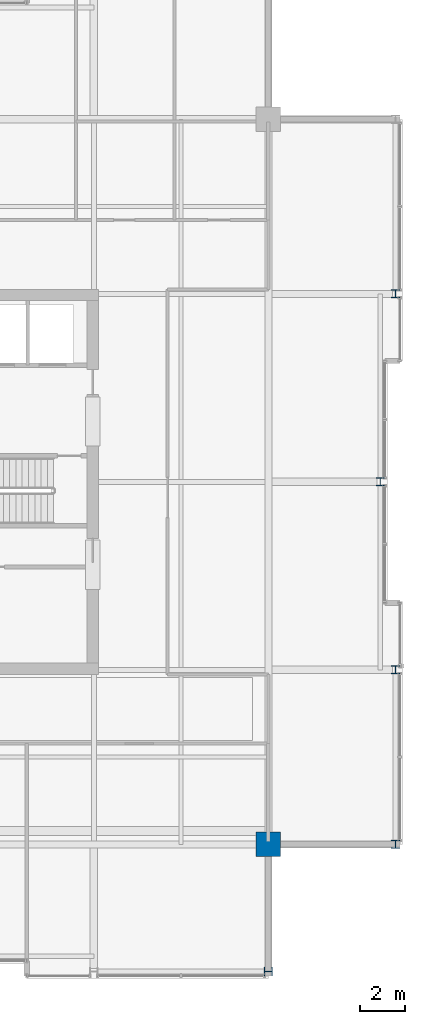
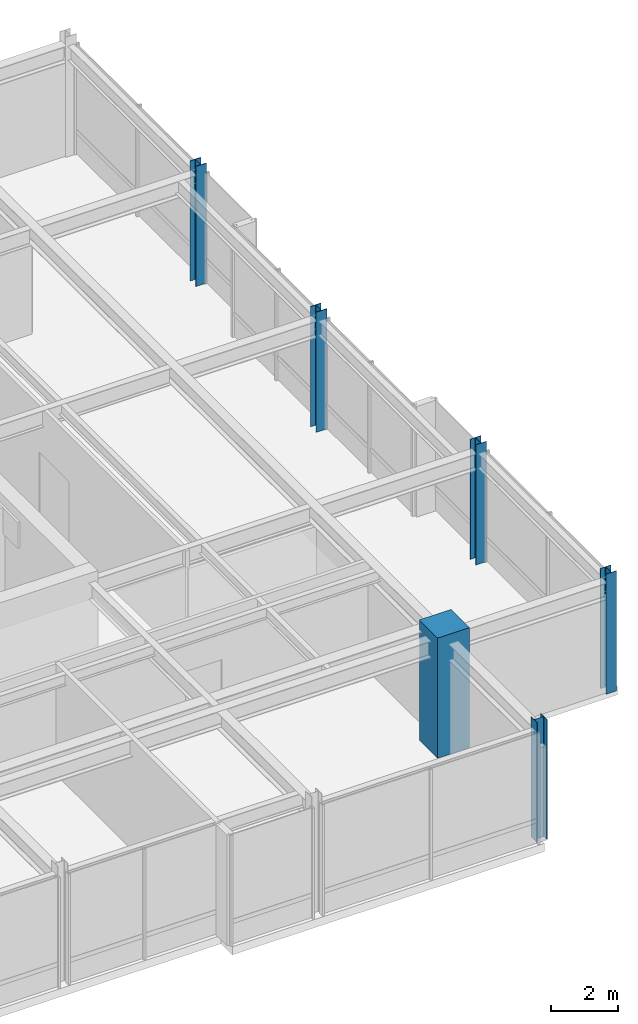
# One storey, part 2 of 33: 6 columns.
"""IFC4 building model written with IfcOpenShell, lengths in metres."""

from ifc_helpers import new_model, si_unit, direction, frame, origin, origin_2d, place, context, subcontext, project, spatial, rectangle, i_section, extrude, material, material_profile, profile_set, type_object, element, save


model = new_model("IFC4")

# Units and contexts
model_context = context("Model", 3, precision=1e-05, world=origin(), true_north=direction((0.0, 1.0)))
body_context = subcontext(model_context, "Body", "Model", "MODEL_VIEW")
ifc_project = project(units=[si_unit("LENGTHUNIT", "METRE"), si_unit("AREAUNIT", "SQUARE_METRE"), si_unit("VOLUMEUNIT", "CUBIC_METRE"), si_unit("PLANEANGLEUNIT", "RADIAN"), si_unit("MASSUNIT", "GRAM", prefix="KILO")], contexts=[model_context])

# Site, building, storey
site_placement = place(None, origin())
site = spatial("IfcSite", under=ifc_project, at=site_placement, CompositionType="ELEMENT")
building_placement = place(site_placement, origin())
building = spatial("IfcBuilding", under=site, at=building_placement, Name="Drelvath Grand Hotel", CompositionType="ELEMENT")
storey_placement = place(building_placement, frame((0.0, 0.0, 298.60009765625)))
storey = spatial("IfcBuildingStorey", under=building, at=storey_placement, Name="L78", CompositionType="ELEMENT", Elevation=298.60009765625)

# Columns
ifc_material_1 = material(Name="Concrete f'c 55 MPa", Category="concrete")
ifc_material_profile_1 = material_profile(ifc_material_1, rectangle(XDim=1.10009765625, YDim=1.10009765625, at=origin_2d()), Name="MC1100X1100")
ifc_profile_set_1 = profile_set([ifc_material_profile_1], Name="Concrete f'c 55 MPa")
column_type_1 = type_object("IfcColumnType", Name="Composite Mega Column MC1100X1100", PredefinedType="COLUMN", material=ifc_profile_set_1)
column_placement = place(storey_placement, frame((16.199951171875, 10.800048828125, 0.0), z_axis=(0.0, 0.0, 1.0), x_axis=(1.0, 0.0, 0.0)))
element("IfcColumn", 1, at=column_placement, inside=storey, type_object=column_type_1, Name="L78 Composite Mega Column MC-SE", PredefinedType="COLUMN", context=body_context, shape_type="SweptSolid", body=[
    extrude(rectangle(XDim=1.10009765625, YDim=1.10009765625, at=origin_2d()), origin(), (0.0, 0.0, 1.0), 4.39990234375),
])
ifc_material_2 = material(Name="Steel ASTM A913 Gr 65", Category="steel")
ifc_material_profile_2 = material_profile(ifc_material_2, i_section(OverallWidth=0.368896484375, OverallDepth=0.356201171875, WebThickness=0.01123046875, FlangeThickness=0.01806640625, FilletRadius=0.02490234375, at=origin_2d()), Name="W14X90")
ifc_profile_set_2 = profile_set([ifc_material_profile_2], Name="Steel ASTM A913 Gr 65")
column_type_2 = type_object("IfcColumnType", Name="Perimeter Steel Column W14X90", PredefinedType="COLUMN", material=ifc_profile_set_2)
for number, where, z_axis, x_axis, name in (
    (2, (21.8798828125, 10.800048828125, 0.0), (0.0, 0.0, 1.0), (1.0, 0.0, 0.0), "L78 Structural Column TCE-C"),
    (3, (21.8798828125, 18.60009765625, 0.0), (0.0, 0.0, 1.0), (1.0, 0.0, 0.0), "L78 Structural Column TCE-D"),
    (4, (21.199951171875, 27.0, 0.0), (0.0, 0.0, 1.0), (1.0, 0.0, 0.0), "L78 Structural Column TCE-E"),
    (5, (21.8798828125, 35.39990234375, 0.0), (0.0, 0.0, 1.0), (1.0, 0.0, 0.0), "L78 Structural Column TCE-F"),
    (6, (16.199951171875, 5.1201171875, 0.0), (0.0, 0.0, 1.0), (0.0, 1.0, 0.0), "L78 Structural Column TCS-7"),
):
    element("IfcColumn", number, at=place(storey_placement, frame(where, z_axis=z_axis, x_axis=x_axis)), inside=storey, type_object=column_type_2, Name=name, PredefinedType="COLUMN", context=body_context, shape_type="SweptSolid", body=[
        extrude(i_section(OverallWidth=0.368896484375, OverallDepth=0.356201171875, WebThickness=0.01123046875, FlangeThickness=0.01806640625, FilletRadius=0.02490234375, at=origin_2d()), origin(), (0.0, 0.0, 1.0), 4.39697265625),
    ])

save(model, "model.ifc")
